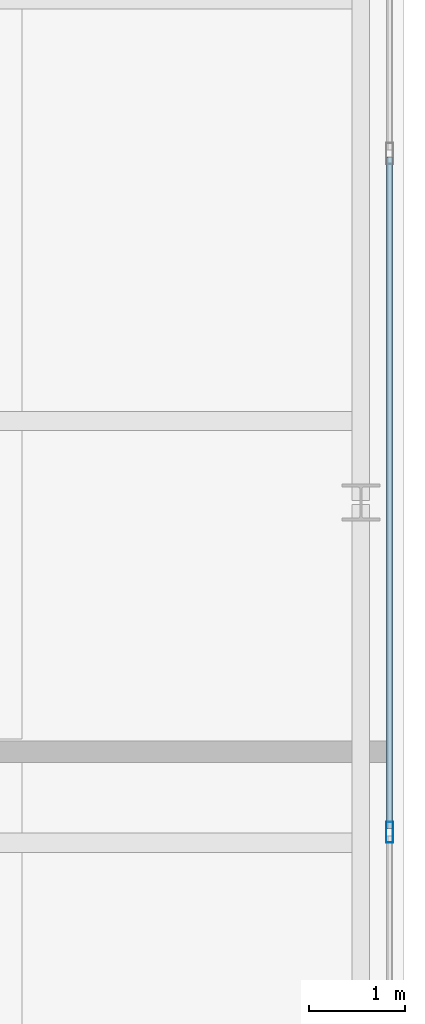
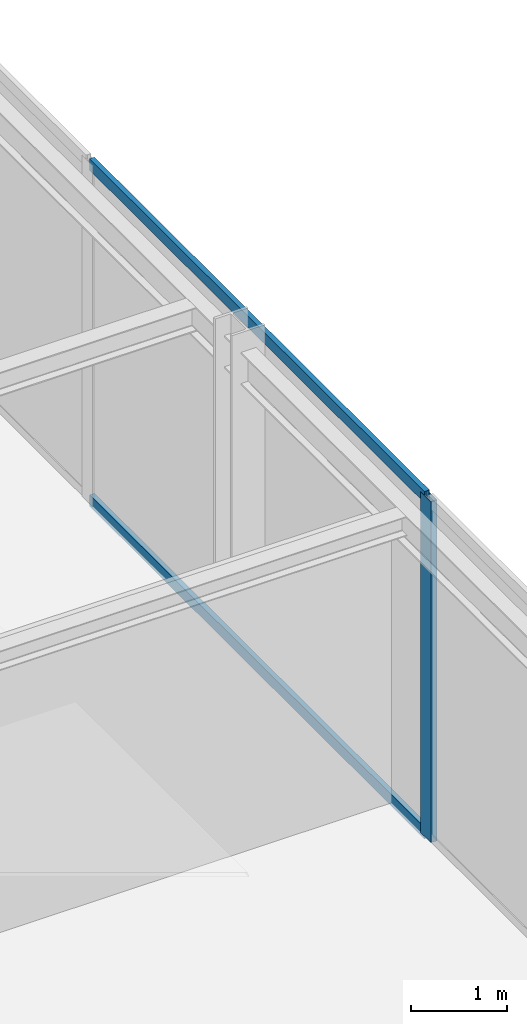
# One storey, part 23 of 32: 3 members, 1 element without a shape of its own.
"""IFC4 building model written with IfcOpenShell, lengths in metres."""

from ifc_helpers import new_model, si_unit, direction, frame, origin, origin_2d, place, context, subcontext, project, spatial, hollow_rectangle, extrude, source, transform, mapped, material, layer, layer_set, material_profile, profile_set, type_object, type_shapes, element, aggregate, save


model = new_model("IFC4")

# Units and contexts
model_context = context("Model", 3, precision=1e-05, world=origin(), true_north=direction((0.0, 1.0)))
body_context = subcontext(model_context, "Body", "Model", "MODEL_VIEW")
ifc_project = project(units=[si_unit("LENGTHUNIT", "METRE"), si_unit("AREAUNIT", "SQUARE_METRE"), si_unit("VOLUMEUNIT", "CUBIC_METRE"), si_unit("PLANEANGLEUNIT", "RADIAN"), si_unit("MASSUNIT", "GRAM", prefix="KILO")], contexts=[model_context])

# Site, building, storey
site_placement = place(None, origin())
site = spatial("IfcSite", under=ifc_project, at=site_placement, CompositionType="ELEMENT")
building_placement = place(site_placement, origin())
building = spatial("IfcBuilding", under=site, at=building_placement, Name="Varnel Quay Broadcast Tower", CompositionType="ELEMENT")
storey_placement = place(building_placement, frame((0.0, 0.0, 98.39990234375)))
storey = spatial("IfcBuildingStorey", under=building, at=storey_placement, Name="L23", CompositionType="ELEMENT", Elevation=98.39990234375)

# Curtain wall, members
ifc_material = material(Name="Anodised Bronze Aluminium 6063-T6", Category="aluminium")
ifc_layer = layer(ifc_material, 0.18994140625, Name="Anodised Bronze Aluminium 6063-T6")
ifc_layer_set = layer_set([ifc_layer], Name="Anodised Bronze Aluminium 6063-T6")
curtain_wall_type = type_object("IfcCurtainWallType", Name="CW_SkyObsHighVis", PredefinedType="NOTDEFINED", material=ifc_layer_set)
curtain_wall_placement = place(storey_placement, origin())
curtain_wall = element("IfcCurtainWall", 1, at=curtain_wall_placement, inside=storey, type_object=curtain_wall_type, Name="L23 East Unitised Curtain Wall", PredefinedType="NOTDEFINED")
ifc_material_profile_1 = material_profile(ifc_material, hollow_rectangle(XDim=0.074951171875, YDim=0.219970703125, WallThickness=0.00390625, at=origin_2d()), Name="ALU75X220X4")
ifc_profile_set_1 = profile_set([ifc_material_profile_1], Name="Anodised Bronze Aluminium 6063-T6")
member_type_1 = type_object("IfcMemberType", Name="Mull_CWS-05", PredefinedType="MULLION", material=ifc_profile_set_1)
shared_shape_1 = source(origin(), body_context, "Body", "SweptSolid", [
    extrude(hollow_rectangle(XDim=0.074951171875, YDim=0.219970703125, WallThickness=0.00390625, at=origin_2d()), origin(), (0.0, 0.0, 1.0), 4.35009765625),
])
type_shapes(member_type_1, [shared_shape_1])
member_1_placement = place(storey_placement, frame((63.35009765625, 21.9599609375, 0.0), z_axis=(0.0, 0.0, 1.0), x_axis=(-1.0, 0.0, 0.0)))
member_1 = element("IfcMember", 2, at=member_1_placement, type_object=member_type_1, Name="CWS-05 mullion 3", PredefinedType="MULLION", context=body_context, shape_type="MappedRepresentation", body=[
    mapped(shared_shape_1, transform((0.0, 0.0, 0.0), x_axis=(1.0, 0.0, 0.0), y_axis=(0.0, 1.0, 0.0), z_axis=(0.0, 0.0, 1.0), scale=1.0)),
])
ifc_material_profile_2 = material_profile(ifc_material, hollow_rectangle(XDim=0.06005859375, YDim=0.14501953125, WallThickness=0.00341796875, at=origin_2d()), Name="ALU60X145X3.5")
ifc_profile_set_2 = profile_set([ifc_material_profile_2], Name="Anodised Bronze Aluminium 6063-T6")
member_type_2 = type_object("IfcMemberType", Name="Tran_CWS-05", PredefinedType="USERDEFINED", material=ifc_profile_set_2)
shared_shape_2 = source(origin(), body_context, "Body", "SweptSolid", [
    extrude(hollow_rectangle(XDim=0.06005859375, YDim=0.14501953125, WallThickness=0.00341796875, at=origin_2d()), origin(), (0.0, 0.0, 1.0), 7.0048828125),
])
type_shapes(member_type_2, [shared_shape_2])
member_2_placement = place(storey_placement, frame((63.35009765625, 21.99755859375, 0.030029296875), z_axis=(0.0, 1.0, 0.0), x_axis=(-1.0, 0.0, 0.0)))
member_2 = element("IfcMember", 3, at=member_2_placement, type_object=member_type_2, Name="CWS-05 transom 3.1", ObjectType="TRANSOM", PredefinedType="USERDEFINED", context=body_context, shape_type="MappedRepresentation", body=[
    mapped(shared_shape_2, transform((0.0, 0.0, 0.0), x_axis=(1.0, 0.0, 0.0), y_axis=(0.0, 1.0, 0.0), z_axis=(0.0, 0.0, 1.0), scale=1.0)),
])
member_3_placement = place(storey_placement, frame((63.35009765625, 21.99755859375, 4.320068359375), z_axis=(0.0, 1.0, 0.0), x_axis=(-1.0, 0.0, 0.0)))
member_3 = element("IfcMember", 4, at=member_3_placement, type_object=member_type_2, Name="CWS-05 transom 3.2", ObjectType="TRANSOM", PredefinedType="USERDEFINED", context=body_context, shape_type="MappedRepresentation", body=[
    mapped(shared_shape_2, transform((0.0, 0.0, 0.0), x_axis=(1.0, 0.0, 0.0), y_axis=(0.0, 1.0, 0.0), z_axis=(0.0, 0.0, 1.0), scale=1.0)),
])
aggregate(curtain_wall, [member_1, member_2, member_3])

save(model, "model.ifc")
